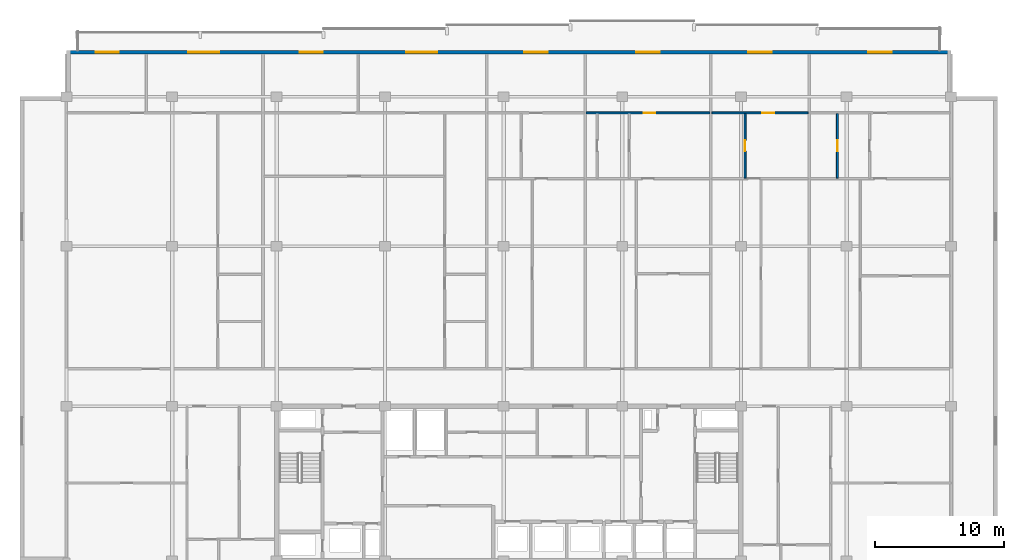
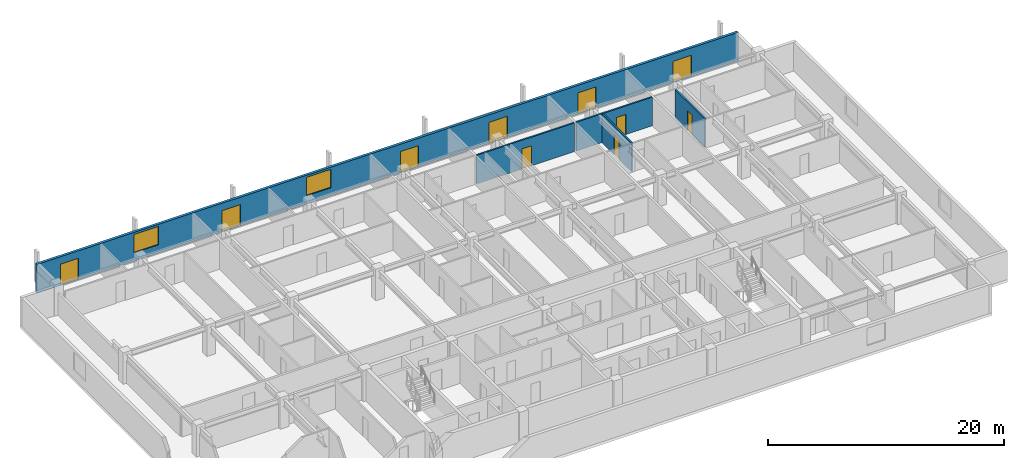
# One storey, part 14 of 21: 10 doors, 5 walls, 2 windows, 12 openings.
"""IFC4 building model written with IfcOpenShell, lengths in metres."""

from ifc_helpers import new_model, si_unit, direction, frame, frame_2d, origin, place, context, subcontext, project, spatial, rectangle, extrude, material, layer, layer_set, type_object, element, fill, save


model = new_model("IFC4")

# Units and contexts
model_context = context("Model", 3, precision=1e-05, world=origin(), true_north=direction((0.0, 1.0)))
body_context = subcontext(model_context, "Body", "Model", "MODEL_VIEW")
ifc_project = project(units=[si_unit("LENGTHUNIT", "METRE"), si_unit("AREAUNIT", "SQUARE_METRE"), si_unit("VOLUMEUNIT", "CUBIC_METRE"), si_unit("PLANEANGLEUNIT", "RADIAN"), si_unit("MASSUNIT", "GRAM", prefix="KILO")], contexts=[model_context])

# Site, building, storey
site_placement = place(None, origin())
site = spatial("IfcSite", under=ifc_project, at=site_placement, CompositionType="ELEMENT")
building_placement = place(site_placement, origin())
building = spatial("IfcBuilding", under=site, at=building_placement, Name="Korimba Cascade Residences", CompositionType="ELEMENT")
storey_placement = place(building_placement, frame((0.0, 0.0, 175.10009765625)))
storey = spatial("IfcBuildingStorey", under=building, at=storey_placement, Name="L50", CompositionType="ELEMENT", Elevation=175.10009765625)

# Wall, openings, doors, windows
ifc_material_1 = material(Name="Precast concrete C40/50", Category="concrete")
ifc_layer_1 = layer(ifc_material_1, 0.25)
ifc_layer_set_1 = layer_set([ifc_layer_1], Name="Precast concrete C40/50")
wall_type_1 = type_object("IfcWallType", Name="EW-LOG-250", PredefinedType="STANDARD", material=ifc_layer_set_1)
wall_1_placement = place(storey_placement, frame((128.39990234375, 94.64990234375, 0.0), z_axis=(0.0, 0.0, 1.0), x_axis=(-1.0, 0.0, 0.0)))
wall_1 = element("IfcWall", 1, at=wall_1_placement, inside=storey, type_object=wall_type_1, Name="L50 T1 Perimeter Stone Wall E06", PredefinedType="STANDARD", context=body_context, shape_type="SweptSolid", body=[
    extrude(rectangle(XDim=68.599853515625, YDim=0.25, at=frame_2d((34.2998046875, 0.0))), origin(), (0.0, 0.0, 1.0), 2.969970703125),
])
opening_1_placement = place(wall_1_placement, frame((64.539794921875, 0.0, 0.0)))
opening_1 = element("IfcOpeningElement", 2, at=opening_1_placement, cuts=wall_1, Name="Opening D-LG1", PredefinedType="OPENING", context=body_context, shape_type="SweptSolid", body=[
    extrude(rectangle(XDim=1.800048828125, YDim=2.199951171875, at=frame_2d((0.89990234375, 1.10009765625))), frame((0.0, 0.135009765625, 0.0), z_axis=(0.0, -1.0, 0.0), x_axis=(1.0, 0.0, 0.0)), (0.0, 0.0, 1.0), 0.27001953125),
])
opening_2_placement = place(wall_1_placement, frame((56.739013671875, 0.0, 0.85009765625)))
opening_2 = element("IfcOpeningElement", 3, at=opening_2_placement, cuts=wall_1, Name="Opening W-01", PredefinedType="OPENING", context=body_context, shape_type="SweptSolid", body=[
    extrude(rectangle(XDim=2.39990234375, YDim=1.89990234375, at=frame_2d((1.199951171875, 0.949951171875))), frame((0.0, 0.135009765625, 0.0), z_axis=(0.0, -1.0, 0.0), x_axis=(1.0, 0.0, 0.0)), (0.0, 0.0, 1.0), 0.27001953125),
])
opening_3_placement = place(wall_1_placement, frame((48.710205078125, 0.0, 0.0)))
opening_3 = element("IfcOpeningElement", 4, at=opening_3_placement, cuts=wall_1, Name="Opening D-LG1", PredefinedType="OPENING", context=body_context, shape_type="SweptSolid", body=[
    extrude(rectangle(XDim=1.800048828125, YDim=2.199951171875, at=frame_2d((0.89990234375, 1.10009765625))), frame((0.0, 0.135009765625, 0.0), z_axis=(0.0, -1.0, 0.0), x_axis=(1.0, 0.0, 0.0)), (0.0, 0.0, 1.0), 0.27001953125),
])
opening_4_placement = place(wall_1_placement, frame((39.8486328125, 0.0, 0.85009765625)))
opening_4 = element("IfcOpeningElement", 5, at=opening_4_placement, cuts=wall_1, Name="Opening W-01", PredefinedType="OPENING", context=body_context, shape_type="SweptSolid", body=[
    extrude(rectangle(XDim=2.39990234375, YDim=1.89990234375, at=frame_2d((1.199951171875, 0.949951171875))), frame((0.0, 0.135009765625, 0.0), z_axis=(0.0, -1.0, 0.0), x_axis=(1.0, 0.0, 0.0)), (0.0, 0.0, 1.0), 0.27001953125),
])
opening_5_placement = place(wall_1_placement, frame((31.285888671875, 0.0, 0.0)))
opening_5 = element("IfcOpeningElement", 6, at=opening_5_placement, cuts=wall_1, Name="Opening D-LG1", PredefinedType="OPENING", context=body_context, shape_type="SweptSolid", body=[
    extrude(rectangle(XDim=1.800048828125, YDim=2.199951171875, at=frame_2d((0.89990234375, 1.10009765625))), frame((0.0, 0.135009765625, 0.0), z_axis=(0.0, -1.0, 0.0), x_axis=(1.0, 0.0, 0.0)), (0.0, 0.0, 1.0), 0.27001953125),
])
opening_6_placement = place(wall_1_placement, frame((22.605712890625, 0.0, 0.0)))
opening_6 = element("IfcOpeningElement", 7, at=opening_6_placement, cuts=wall_1, Name="Opening D-LG1", PredefinedType="OPENING", context=body_context, shape_type="SweptSolid", body=[
    extrude(rectangle(XDim=1.800048828125, YDim=2.199951171875, at=frame_2d((0.89990234375, 1.10009765625))), frame((0.0, 0.135009765625, 0.0), z_axis=(0.0, -1.0, 0.0), x_axis=(1.0, 0.0, 0.0)), (0.0, 0.0, 1.0), 0.27001953125),
])
opening_7_placement = place(wall_1_placement, frame((13.925537109375, 0.0, 0.0)))
opening_7 = element("IfcOpeningElement", 8, at=opening_7_placement, cuts=wall_1, Name="Opening D-LG1", PredefinedType="OPENING", context=body_context, shape_type="SweptSolid", body=[
    extrude(rectangle(XDim=1.800048828125, YDim=2.199951171875, at=frame_2d((0.89990234375, 1.10009765625))), frame((0.0, 0.135009765625, 0.0), z_axis=(0.0, -1.0, 0.0), x_axis=(1.0, 0.0, 0.0)), (0.0, 0.0, 1.0), 0.27001953125),
])
opening_8_placement = place(wall_1_placement, frame((4.60791015625, 0.0, 0.0)))
opening_8 = element("IfcOpeningElement", 9, at=opening_8_placement, cuts=wall_1, Name="Opening D-LG1", PredefinedType="OPENING", context=body_context, shape_type="SweptSolid", body=[
    extrude(rectangle(XDim=1.800048828125, YDim=2.199951171875, at=frame_2d((0.89990234375, 1.10009765625))), frame((0.0, 0.135009765625, 0.0), z_axis=(0.0, -1.0, 0.0), x_axis=(1.0, 0.0, 0.0)), (0.0, 0.0, 1.0), 0.27001953125),
])
ifc_material_2 = material(Name="Glazed Aluminium Loggia Sliding Door", Category="aluminium")
door_type_1 = type_object("IfcDoorType", Name="DR-EXT-LOG", OperationType="NOTDEFINED", PredefinedType="DOOR", material=ifc_material_2)
door_1_placement = place(opening_1_placement, origin())
door_1 = element("IfcDoor", 10, at=door_1_placement, inside=storey, type_object=door_type_1, Name="L50 T1 Loggia Sliding Door 3", OperationType="SLIDING_TO_LEFT", OverallHeight=2.199951171875, OverallWidth=1.800048828125, PredefinedType="DOOR", context=body_context, shape_type="SweptSolid", body=[
    extrude(rectangle(XDim=1.800048828125, YDim=2.199951171875, at=frame_2d((0.89990234375, 1.10009765625))), frame((0.0, 0.02490234375, 0.0), z_axis=(0.0, -1.0, 0.0), x_axis=(1.0, 0.0, 0.0)), (0.0, 0.0, 1.0), 0.050048828125),
])
fill(opening_1, door_1)
door_2_placement = place(opening_3_placement, origin())
door_2 = element("IfcDoor", 11, at=door_2_placement, inside=storey, type_object=door_type_1, Name="L50 T1 Loggia Sliding Door 5", OperationType="SLIDING_TO_LEFT", OverallHeight=2.199951171875, OverallWidth=1.800048828125, PredefinedType="DOOR", context=body_context, shape_type="SweptSolid", body=[
    extrude(rectangle(XDim=1.800048828125, YDim=2.199951171875, at=frame_2d((0.89990234375, 1.10009765625))), frame((0.0, 0.02490234375, 0.0), z_axis=(0.0, -1.0, 0.0), x_axis=(1.0, 0.0, 0.0)), (0.0, 0.0, 1.0), 0.050048828125),
])
fill(opening_3, door_2)
door_3_placement = place(opening_5_placement, origin())
door_3 = element("IfcDoor", 12, at=door_3_placement, inside=storey, type_object=door_type_1, Name="L50 T1 Loggia Sliding Door 7", OperationType="SLIDING_TO_LEFT", OverallHeight=2.199951171875, OverallWidth=1.800048828125, PredefinedType="DOOR", context=body_context, shape_type="SweptSolid", body=[
    extrude(rectangle(XDim=1.800048828125, YDim=2.199951171875, at=frame_2d((0.89990234375, 1.10009765625))), frame((0.0, 0.02490234375, 0.0), z_axis=(0.0, -1.0, 0.0), x_axis=(1.0, 0.0, 0.0)), (0.0, 0.0, 1.0), 0.050048828125),
])
fill(opening_5, door_3)
door_4_placement = place(opening_6_placement, origin())
door_4 = element("IfcDoor", 13, at=door_4_placement, inside=storey, type_object=door_type_1, Name="L50 T1 Loggia Sliding Door 8", OperationType="SLIDING_TO_LEFT", OverallHeight=2.199951171875, OverallWidth=1.800048828125, PredefinedType="DOOR", context=body_context, shape_type="SweptSolid", body=[
    extrude(rectangle(XDim=1.800048828125, YDim=2.199951171875, at=frame_2d((0.89990234375, 1.10009765625))), frame((0.0, 0.02490234375, 0.0), z_axis=(0.0, -1.0, 0.0), x_axis=(1.0, 0.0, 0.0)), (0.0, 0.0, 1.0), 0.050048828125),
])
fill(opening_6, door_4)
door_5_placement = place(opening_7_placement, origin())
door_5 = element("IfcDoor", 14, at=door_5_placement, inside=storey, type_object=door_type_1, Name="L50 T1 Loggia Sliding Door 9", OperationType="SLIDING_TO_LEFT", OverallHeight=2.199951171875, OverallWidth=1.800048828125, PredefinedType="DOOR", context=body_context, shape_type="SweptSolid", body=[
    extrude(rectangle(XDim=1.800048828125, YDim=2.199951171875, at=frame_2d((0.89990234375, 1.10009765625))), frame((0.0, 0.02490234375, 0.0), z_axis=(0.0, -1.0, 0.0), x_axis=(1.0, 0.0, 0.0)), (0.0, 0.0, 1.0), 0.050048828125),
])
fill(opening_7, door_5)
door_6_placement = place(opening_8_placement, origin())
door_6 = element("IfcDoor", 15, at=door_6_placement, inside=storey, type_object=door_type_1, Name="L50 T1 Loggia Sliding Door 10", OperationType="SLIDING_TO_LEFT", OverallHeight=2.199951171875, OverallWidth=1.800048828125, PredefinedType="DOOR", context=body_context, shape_type="SweptSolid", body=[
    extrude(rectangle(XDim=1.800048828125, YDim=2.199951171875, at=frame_2d((0.89990234375, 1.10009765625))), frame((0.0, 0.02490234375, 0.0), z_axis=(0.0, -1.0, 0.0), x_axis=(1.0, 0.0, 0.0)), (0.0, 0.0, 1.0), 0.050048828125),
])
fill(opening_8, door_6)
ifc_material_3 = material(Name="Double-Glazed Aluminium Window", Category="aluminium")
window_type = type_object("IfcWindowType", Name="WIN-RES-2400", PartitioningType="DOUBLE_PANEL_VERTICAL", PredefinedType="WINDOW", material=ifc_material_3)
window_1_placement = place(opening_2_placement, origin())
window_1 = element("IfcWindow", 16, at=window_1_placement, inside=storey, type_object=window_type, Name="L50 T1 North Facade Window 4", OverallHeight=1.89990234375, OverallWidth=2.39990234375, PartitioningType="DOUBLE_PANEL_VERTICAL", PredefinedType="WINDOW", context=body_context, shape_type="SweptSolid", body=[
    extrude(rectangle(XDim=2.39990234375, YDim=1.89990234375, at=frame_2d((1.199951171875, 0.949951171875))), frame((0.0, 0.030029296875, 0.0), z_axis=(0.0, -1.0, 0.0), x_axis=(1.0, 0.0, 0.0)), (0.0, 0.0, 1.0), 0.06005859375),
])
fill(opening_2, window_1)
window_2_placement = place(opening_4_placement, origin())
window_2 = element("IfcWindow", 17, at=window_2_placement, inside=storey, type_object=window_type, Name="L50 T1 North Facade Window 6", OverallHeight=1.89990234375, OverallWidth=2.39990234375, PartitioningType="DOUBLE_PANEL_VERTICAL", PredefinedType="WINDOW", context=body_context, shape_type="SweptSolid", body=[
    extrude(rectangle(XDim=2.39990234375, YDim=1.89990234375, at=frame_2d((1.199951171875, 0.949951171875))), frame((0.0, 0.030029296875, 0.0), z_axis=(0.0, -1.0, 0.0), x_axis=(1.0, 0.0, 0.0)), (0.0, 0.0, 1.0), 0.06005859375),
])
fill(opening_4, window_2)

# Wall, opening, door
ifc_material_4 = material(Name="Insulated Acoustic Stud Partition", Category="gypsum")
ifc_layer_2 = layer(ifc_material_4, 0.14990234375)
ifc_layer_set_2 = layer_set([ifc_layer_2], Name="Insulated Acoustic Stud Partition")
wall_type_2 = type_object("IfcWallType", Name="WAL-PART-150", PredefinedType="PARTITIONING", material=ifc_layer_set_2)
wall_2_placement = place(storey_placement, frame((100.103759765625, 89.949951171875, 0.0), z_axis=(0.0, 0.0, 1.0), x_axis=(1.0, 0.0, 0.0)))
wall_2 = element("IfcWall", 18, at=wall_2_placement, inside=storey, type_object=wall_type_2, Name="L50 Partition Wall WAL-L50-T1-U04-HZ", PredefinedType="PARTITIONING", context=body_context, shape_type="SweptSolid", body=[
    extrude(rectangle(XDim=9.5810546875, YDim=0.14990234375, at=frame_2d((4.79052734375, 0.0))), origin(), (0.0, 0.0, 1.0), 2.969970703125),
])
opening_9_placement = place(wall_2_placement, frame((4.451416015625, 0.0, 0.0)))
opening_9 = element("IfcOpeningElement", 19, at=opening_9_placement, cuts=wall_2, Name="Opening D-IN1", PredefinedType="OPENING", context=body_context, shape_type="SweptSolid", body=[
    extrude(rectangle(XDim=0.919921875, YDim=2.080078125, at=frame_2d((0.4599609375, 1.0400390625))), frame((0.0, 0.0849609375, 0.0), z_axis=(0.0, -1.0, 0.0), x_axis=(1.0, 0.0, 0.0)), (0.0, 0.0, 1.0), 0.169921875),
])
ifc_material_5 = material(Name="Acoustic Timber Living Door", Category="wood")
door_type_2 = type_object("IfcDoorType", Name="DR-INT-920", OperationType="NOTDEFINED", PredefinedType="DOOR", material=ifc_material_5)
door_7_placement = place(opening_9_placement, origin())
door_7 = element("IfcDoor", 20, at=door_7_placement, inside=storey, type_object=door_type_2, Name="L50-T1-U04 Studio Door", OperationType="SINGLE_SWING_LEFT", OverallHeight=2.080078125, OverallWidth=0.919921875, PredefinedType="DOOR", context=body_context, shape_type="SweptSolid", body=[
    extrude(rectangle(XDim=0.919921875, YDim=2.080078125, at=frame_2d((0.4599609375, 1.0400390625))), frame((0.0, 0.02490234375, 0.0), z_axis=(0.0, -1.0, 0.0), x_axis=(1.0, 0.0, 0.0)), (0.0, 0.0, 1.0), 0.050048828125),
])
fill(opening_9, door_7)

wall_3_placement = place(storey_placement, frame((112.4248046875, 84.889892578125, 0.0), z_axis=(0.0, 0.0, 1.0), x_axis=(0.0, 1.0, 0.0)))
wall_3 = element("IfcWall", 21, at=wall_3_placement, inside=storey, type_object=wall_type_2, Name="L50 Partition Wall WAL-L50-T1-U05-BM", PredefinedType="PARTITIONING", context=body_context, shape_type="SweptSolid", body=[
    extrude(rectangle(XDim=5.0, YDim=0.14990234375, at=frame_2d((2.5, 0.0))), origin(), (0.0, 0.0, 1.0), 2.969970703125),
])
opening_10_placement = place(wall_3_placement, frame((2.080078125, 0.0, 0.0)))
opening_10 = element("IfcOpeningElement", 22, at=opening_10_placement, cuts=wall_3, Name="Opening D-BT1", PredefinedType="OPENING", context=body_context, shape_type="SweptSolid", body=[
    extrude(rectangle(XDim=0.840087890625, YDim=2.0400390625, at=frame_2d((0.419921875, 1.02001953125))), frame((0.0, 0.0849609375, 0.0), z_axis=(0.0, -1.0, 0.0), x_axis=(1.0, 0.0, 0.0)), (0.0, 0.0, 1.0), 0.169921875),
])
ifc_material_6 = material(Name="Moisture-Resistant Bathroom Timber Door", Category="wood")
door_type_3 = type_object("IfcDoorType", Name="DR-INT-850", OperationType="NOTDEFINED", PredefinedType="DOOR", material=ifc_material_6)
door_8_placement = place(opening_10_placement, origin())
door_8 = element("IfcDoor", 23, at=door_8_placement, inside=storey, type_object=door_type_3, Name="L50-T1-U05 Bathroom Door", OperationType="SINGLE_SWING_LEFT", OverallHeight=2.0400390625, OverallWidth=0.840087890625, PredefinedType="DOOR", context=body_context, shape_type="SweptSolid", body=[
    extrude(rectangle(XDim=0.840087890625, YDim=2.0400390625, at=frame_2d((0.419921875, 1.02001953125))), frame((0.0, 0.02490234375, 0.0), z_axis=(0.0, -1.0, 0.0), x_axis=(1.0, 0.0, 0.0)), (0.0, 0.0, 1.0), 0.050048828125),
])
fill(opening_10, door_8)

wall_4_placement = place(storey_placement, frame((109.8447265625, 89.949951171875, 0.0), z_axis=(0.0, 0.0, 1.0), x_axis=(1.0, 0.0, 0.0)))
wall_4 = element("IfcWall", 24, at=wall_4_placement, inside=storey, type_object=wall_type_2, Name="L50 Partition Wall WAL-L50-T1-U05-HZ", PredefinedType="PARTITIONING", context=body_context, shape_type="SweptSolid", body=[
    extrude(rectangle(XDim=7.459228515625, YDim=0.14990234375, at=frame_2d((3.7294921875, 0.0))), origin(), (0.0, 0.0, 1.0), 2.969970703125),
])
opening_11_placement = place(wall_4_placement, frame((3.924072265625, 0.0, 0.0)))
opening_11 = element("IfcOpeningElement", 25, at=opening_11_placement, cuts=wall_4, Name="Opening D-IN1", PredefinedType="OPENING", context=body_context, shape_type="SweptSolid", body=[
    extrude(rectangle(XDim=0.919921875, YDim=2.080078125, at=frame_2d((0.4599609375, 1.0400390625))), frame((0.0, 0.0849609375, 0.0), z_axis=(0.0, -1.0, 0.0), x_axis=(1.0, 0.0, 0.0)), (0.0, 0.0, 1.0), 0.169921875),
])
door_9_placement = place(opening_11_placement, origin())
door_9 = element("IfcDoor", 26, at=door_9_placement, inside=storey, type_object=door_type_2, Name="L50-T1-U05 Studio Door", OperationType="SINGLE_SWING_LEFT", OverallHeight=2.080078125, OverallWidth=0.919921875, PredefinedType="DOOR", context=body_context, shape_type="SweptSolid", body=[
    extrude(rectangle(XDim=0.919921875, YDim=2.080078125, at=frame_2d((0.4599609375, 1.0400390625))), frame((0.0, 0.02490234375, 0.0), z_axis=(0.0, -1.0, 0.0), x_axis=(1.0, 0.0, 0.0)), (0.0, 0.0, 1.0), 0.050048828125),
])
fill(opening_11, door_9)

wall_5_placement = place(storey_placement, frame((119.580078125, 84.889892578125, 0.0), z_axis=(0.0, 0.0, 1.0), x_axis=(0.0, 1.0, 0.0)))
wall_5 = element("IfcWall", 27, at=wall_5_placement, inside=storey, type_object=wall_type_2, Name="L50 Partition Wall WAL-L50-T1-U06-CLS", PredefinedType="PARTITIONING", context=body_context, shape_type="SweptSolid", body=[
    extrude(rectangle(XDim=5.0, YDim=0.14990234375, at=frame_2d((2.5, 0.0))), origin(), (0.0, 0.0, 1.0), 2.969970703125),
])
opening_12_placement = place(wall_5_placement, frame((2.080078125, 0.0, 0.0)))
opening_12 = element("IfcOpeningElement", 28, at=opening_12_placement, cuts=wall_5, Name="Opening D-BT1", PredefinedType="OPENING", context=body_context, shape_type="SweptSolid", body=[
    extrude(rectangle(XDim=0.840087890625, YDim=2.0400390625, at=frame_2d((0.419921875, 1.02001953125))), frame((0.0, 0.0849609375, 0.0), z_axis=(0.0, -1.0, 0.0), x_axis=(1.0, 0.0, 0.0)), (0.0, 0.0, 1.0), 0.169921875),
])
door_10_placement = place(opening_12_placement, origin())
door_10 = element("IfcDoor", 29, at=door_10_placement, inside=storey, type_object=door_type_3, Name="L50-T1-U06 Closet Door", OperationType="SINGLE_SWING_RIGHT", OverallHeight=2.0400390625, OverallWidth=0.840087890625, PredefinedType="DOOR", context=body_context, shape_type="SweptSolid", body=[
    extrude(rectangle(XDim=0.840087890625, YDim=2.0400390625, at=frame_2d((0.419921875, 1.02001953125))), frame((0.0, 0.02490234375, 0.0), z_axis=(0.0, -1.0, 0.0), x_axis=(1.0, 0.0, 0.0)), (0.0, 0.0, 1.0), 0.050048828125),
])
fill(opening_12, door_10)

save(model, "model.ifc")
